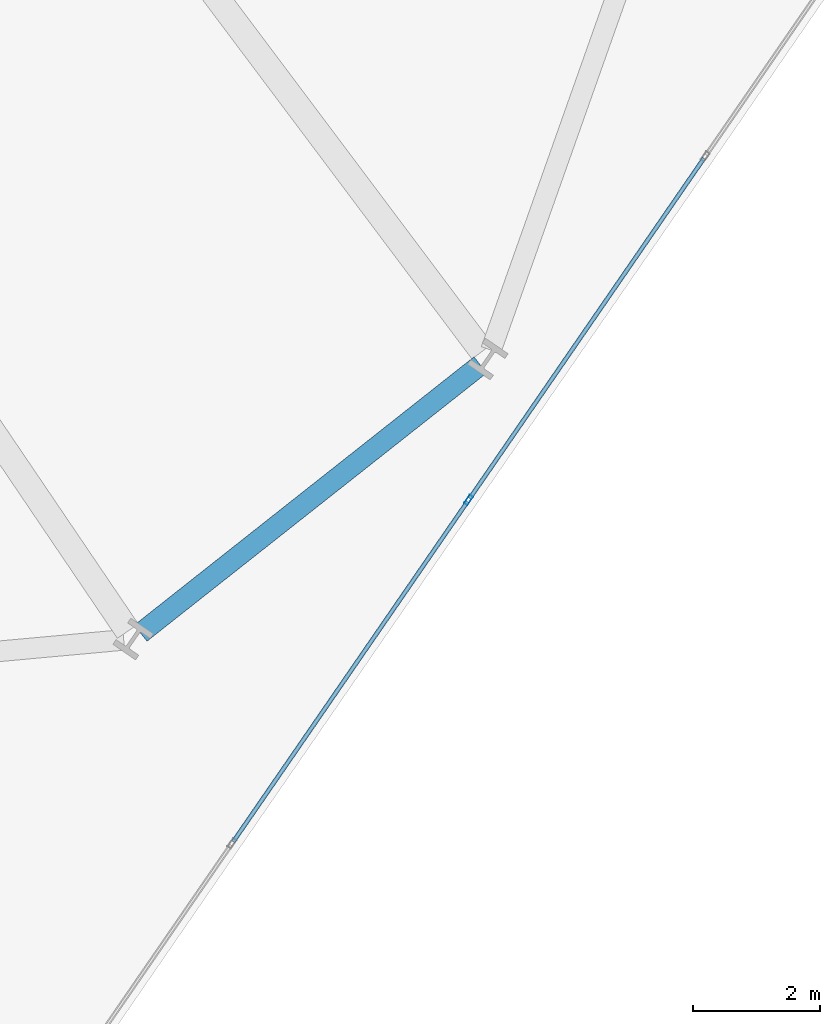
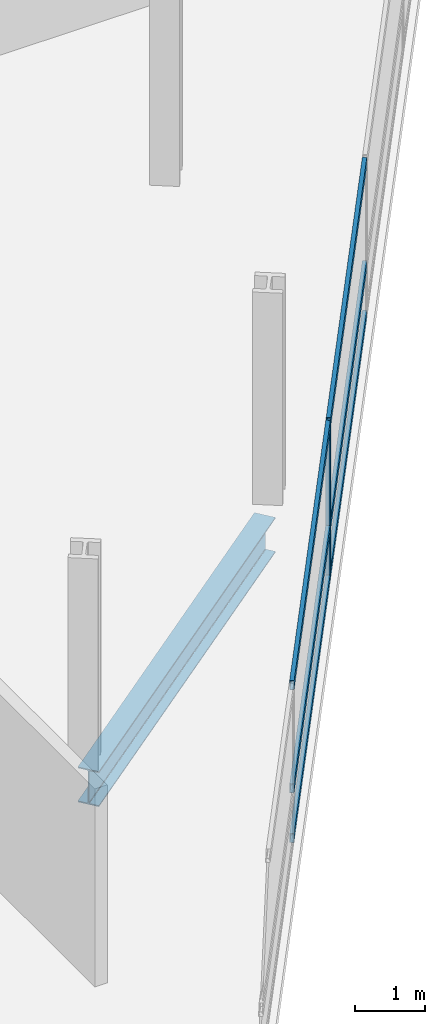
# One storey, part 7 of 25: 7 members, 1 beam, 1 element without a shape of its own.
"""IFC4 building model written with IfcOpenShell, lengths in metres."""

from ifc_helpers import new_model, si_unit, direction, frame, origin, origin_2d, place, context, subcontext, project, spatial, hollow_rectangle, i_section, extrude, material, layer, layer_set, material_profile, profile_set, type_object, element, aggregate, save


model = new_model("IFC4")

# Units and contexts
model_context = context("Model", 3, precision=1e-05, world=origin(), true_north=direction((0.0, 1.0)))
body_context = subcontext(model_context, "Body", "Model", "MODEL_VIEW")
ifc_project = project(units=[si_unit("LENGTHUNIT", "METRE"), si_unit("AREAUNIT", "SQUARE_METRE"), si_unit("VOLUMEUNIT", "CUBIC_METRE"), si_unit("PLANEANGLEUNIT", "RADIAN"), si_unit("MASSUNIT", "GRAM", prefix="KILO")], contexts=[model_context])

# Site, building, storey
site_placement = place(None, origin())
site = spatial("IfcSite", under=ifc_project, at=site_placement, CompositionType="ELEMENT")
building_placement = place(site_placement, origin())
building = spatial("IfcBuilding", under=site, at=building_placement, Name="Varnelok Gate Tower", CompositionType="ELEMENT")
storey_placement = place(building_placement, frame((0.0, 0.0, 49.199951171875)))
storey = spatial("IfcBuildingStorey", under=building, at=storey_placement, Name="L11", CompositionType="ELEMENT", Elevation=49.199951171875)

# Beam
ifc_material_1 = material(Name="Structural Steel ASTM A992 Grade 50", Category="steel")
ifc_material_profile_1 = material_profile(ifc_material_1, i_section(OverallWidth=0.323974609375, OverallDepth=0.611083984375, WebThickness=0.0126953125, FlangeThickness=0.01904296875, FilletRadius=0.01806640625, at=origin_2d()), Name="W24X104")
ifc_profile_set_1 = profile_set([ifc_material_profile_1], Name="Structural Steel ASTM A992 Grade 50")
beam_type = type_object("IfcBeamType", Name="BM-SPN-W24X104", PredefinedType="SPANDREL", material=ifc_profile_set_1)
beam_placement = place(storey_placement, frame((66.202392578125, 1.045654296875, -0.555419921875), z_axis=(0.784860761341, 0.619672159538, 0.0), x_axis=(-0.619672159538, 0.784860761341, 0.0)))
element("IfcBeam", 1, at=beam_placement, inside=storey, type_object=beam_type, Name="L11 Perimeter Spandrel Beam 6", PredefinedType="SPANDREL", context=body_context, shape_type="SweptSolid", body=[
    extrude(i_section(OverallWidth=0.323974609375, OverallDepth=0.611083984375, WebThickness=0.0126953125, FlangeThickness=0.01904296875, FilletRadius=0.01806640625, at=origin_2d()), origin(), (0.0, 0.0, 1.0), 6.81640625),
])

# Curtain wall, members
ifc_material_2 = material(Name="Anodized Aluminum Alloy 6063-T6", Category="aluminium")
ifc_layer = layer(ifc_material_2, 0.179931640625)
ifc_layer_set = layer_set([ifc_layer], Name="Anodized Aluminum Alloy 6063-T6")
curtain_wall_type = type_object("IfcCurtainWallType", Name="CW3-HOTEL-VISION", PredefinedType="USERDEFINED", material=ifc_layer_set)
curtain_wall_placement = place(storey_placement, origin())
curtain_wall = element("IfcCurtainWall", 2, at=curtain_wall_placement, inside=storey, type_object=curtain_wall_type, Name="L11 East End Vision Curtain Wall", ObjectType="UNITISED CURTAIN WALL", PredefinedType="USERDEFINED")
ifc_material_profile_2 = material_profile(ifc_material_2, hollow_rectangle(XDim=0.06494140625, YDim=0.159912109375, WallThickness=0.00390625, at=origin_2d()), Name="ALU160X65X4")
ifc_profile_set_2 = profile_set([ifc_material_profile_2], Name="Anodized Aluminum Alloy 6063-T6")
member_type_1 = type_object("IfcMemberType", Name="CW-MULL-160", PredefinedType="MULLION", material=ifc_profile_set_2)
member_1_placement = place(storey_placement, frame((71.3671875, 3.142578125, 0.0), z_axis=(0.0, 0.0, 1.0), x_axis=(0.823532685111, -0.567268822124, 0.0)))
member_1 = element("IfcMember", 3, at=member_1_placement, type_object=member_type_1, Name="CW3 mullion 4", PredefinedType="MULLION", context=body_context, shape_type="SweptSolid", body=[
    extrude(hollow_rectangle(XDim=0.06494140625, YDim=0.159912109375, WallThickness=0.00390625, at=origin_2d()), origin(), (0.0, 0.0, 1.0), 2.72998046875),
])
ifc_material_profile_3 = material_profile(ifc_material_2, hollow_rectangle(XDim=0.06494140625, YDim=0.159912109375, WallThickness=0.00390625, at=origin_2d()), Name="ALU160X65X4")
ifc_profile_set_3 = profile_set([ifc_material_profile_3], Name="Anodized Aluminum Alloy 6063-T6")
member_type_2 = type_object("IfcMemberType", Name="CW-TRAN-160", PredefinedType="USERDEFINED", material=ifc_profile_set_3)
member_2_placement = place(storey_placement, frame((75.07373046875, 8.523681640625, 0.032470703125), z_axis=(-0.56723619486, -0.82355515859, 0.0), x_axis=(0.82355515859, -0.56723619486, 0.0)))
member_2 = element("IfcMember", 4, at=member_2_placement, type_object=member_type_2, Name="CW3 transom 3.1", ObjectType="TRANSOM", PredefinedType="USERDEFINED", context=body_context, shape_type="SweptSolid", body=[
    extrude(hollow_rectangle(XDim=0.06494140625, YDim=0.159912109375, WallThickness=0.00390625, at=origin_2d()), origin(), (0.0, 0.0, 1.0), 6.501708984375),
])
member_3_placement = place(storey_placement, frame((75.07373046875, 8.523681640625, 0.900146484375), z_axis=(-0.56723619486, -0.82355515859, 0.0), x_axis=(0.82355515859, -0.56723619486, 0.0)))
member_3 = element("IfcMember", 5, at=member_3_placement, type_object=member_type_2, Name="CW3 transom 3.2", ObjectType="TRANSOM", PredefinedType="USERDEFINED", context=body_context, shape_type="SweptSolid", body=[
    extrude(hollow_rectangle(XDim=0.06494140625, YDim=0.159912109375, WallThickness=0.00390625, at=origin_2d()), origin(), (0.0, 0.0, 1.0), 6.501708984375),
])
member_4_placement = place(storey_placement, frame((75.07373046875, 8.523681640625, 2.697509765625), z_axis=(-0.56723619486, -0.82355515859, 0.0), x_axis=(0.82355515859, -0.56723619486, 0.0)))
member_4 = element("IfcMember", 6, at=member_4_placement, type_object=member_type_2, Name="CW3 transom 3.3", ObjectType="TRANSOM", PredefinedType="USERDEFINED", context=body_context, shape_type="SweptSolid", body=[
    extrude(hollow_rectangle(XDim=0.06494140625, YDim=0.159912109375, WallThickness=0.00390625, at=origin_2d()), origin(), (0.0, 0.0, 1.0), 6.501708984375),
])
member_5_placement = place(storey_placement, frame((71.348876953125, 3.11572265625, 0.032470703125), z_axis=(-0.567279204469, -0.823525533409, 0.0), x_axis=(0.823525533409, -0.567279204469, 0.0)))
member_5 = element("IfcMember", 7, at=member_5_placement, type_object=member_type_2, Name="CW3 transom 4.1", ObjectType="TRANSOM", PredefinedType="USERDEFINED", context=body_context, shape_type="SweptSolid", body=[
    extrude(hollow_rectangle(XDim=0.06494140625, YDim=0.159912109375, WallThickness=0.00390625, at=origin_2d()), origin(), (0.0, 0.0, 1.0), 6.501708984375),
])
member_6_placement = place(storey_placement, frame((71.348876953125, 3.11572265625, 0.900146484375), z_axis=(-0.567279204469, -0.823525533409, 0.0), x_axis=(0.823525533409, -0.567279204469, 0.0)))
member_6 = element("IfcMember", 8, at=member_6_placement, type_object=member_type_2, Name="CW3 transom 4.2", ObjectType="TRANSOM", PredefinedType="USERDEFINED", context=body_context, shape_type="SweptSolid", body=[
    extrude(hollow_rectangle(XDim=0.06494140625, YDim=0.159912109375, WallThickness=0.00390625, at=origin_2d()), origin(), (0.0, 0.0, 1.0), 6.501708984375),
])
member_7_placement = place(storey_placement, frame((71.348876953125, 3.11572265625, 2.697509765625), z_axis=(-0.567279204469, -0.823525533409, 0.0), x_axis=(0.823525533409, -0.567279204469, 0.0)))
member_7 = element("IfcMember", 9, at=member_7_placement, type_object=member_type_2, Name="CW3 transom 4.3", ObjectType="TRANSOM", PredefinedType="USERDEFINED", context=body_context, shape_type="SweptSolid", body=[
    extrude(hollow_rectangle(XDim=0.06494140625, YDim=0.159912109375, WallThickness=0.00390625, at=origin_2d()), origin(), (0.0, 0.0, 1.0), 6.501708984375),
])
aggregate(curtain_wall, [member_1, member_2, member_3, member_4, member_5, member_6, member_7])

save(model, "model.ifc")
